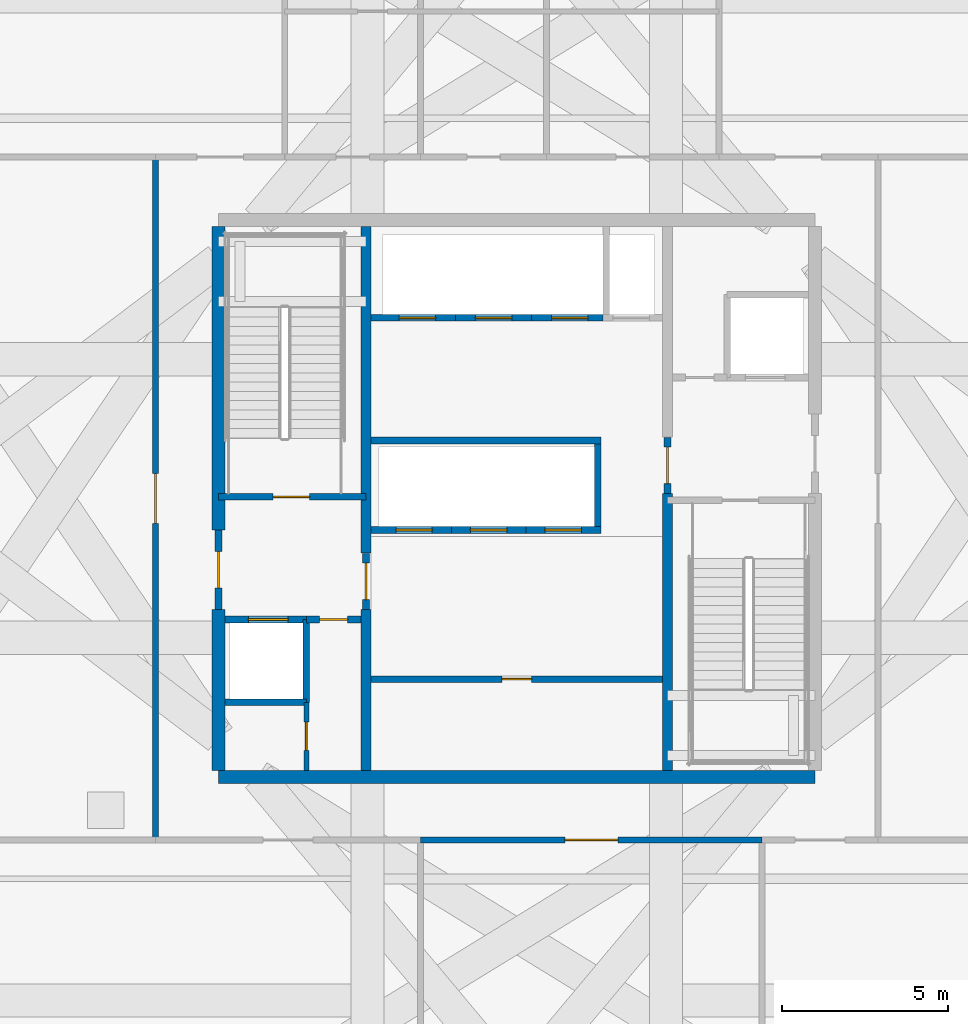
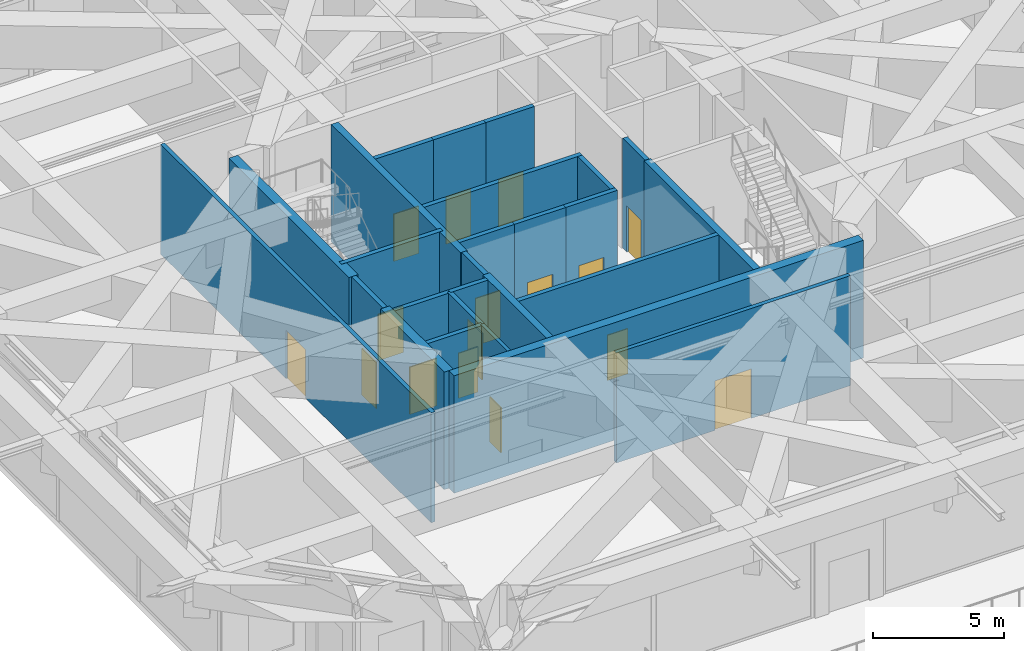
# One storey, part 31 of 38: 26 walls, 16 doors, 16 openings.
"""IFC4 building model written with IfcOpenShell, lengths in metres."""

from ifc_helpers import new_model, si_unit, direction, frame, frame_2d, origin, place, context, subcontext, project, spatial, rectangle, extrude, source, transform, mapped, material, layer, layer_set, type_object, element, fill, save


model = new_model("IFC4")

# Units and contexts
model_context = context("Model", 3, precision=1e-05, world=origin(), true_north=direction((0.0, 1.0)))
body_context = subcontext(model_context, "Body", "Model", "MODEL_VIEW")
ifc_project = project(units=[si_unit("LENGTHUNIT", "METRE"), si_unit("AREAUNIT", "SQUARE_METRE"), si_unit("VOLUMEUNIT", "CUBIC_METRE"), si_unit("PLANEANGLEUNIT", "RADIAN"), si_unit("MASSUNIT", "GRAM", prefix="KILO")], contexts=[model_context])

# Site, building, storey
site_placement = place(None, origin())
site = spatial("IfcSite", under=ifc_project, at=site_placement, CompositionType="ELEMENT")
building_placement = place(site_placement, origin())
building = spatial("IfcBuilding", under=site, at=building_placement, Name="Serunith Strait Residences", CompositionType="ELEMENT")
storey_placement = place(building_placement, frame((0.0, 0.0, 204.89990234375)))
storey = spatial("IfcBuildingStorey", under=building, at=storey_placement, Name="L51", CompositionType="ELEMENT", Elevation=204.89990234375)

# Wall, opening, door
ifc_material_1 = material(Name="Fire-rated masonry service closet wall", Category="masonry")
ifc_layer_1 = layer(ifc_material_1, 0.14990234375, Name="Fire-rated masonry service closet wall")
ifc_layer_set_1 = layer_set([ifc_layer_1], Name="Fire-rated masonry service closet wall")
wall_type_1 = type_object("IfcWallType", Name="IW-BOH-150", PredefinedType="PARTITIONING", material=ifc_layer_set_1)
wall_1_placement = place(storey_placement, frame((26.050048828125, 17.0, 0.0), z_axis=(0.0, 0.0, 1.0), x_axis=(0.0, 1.0, 0.0)))
wall_1 = element("IfcWall", 1, at=wall_1_placement, inside=storey, type_object=wall_type_1, Name="L51 Partition Wall 012", PredefinedType="PARTITIONING", context=body_context, shape_type="SweptSolid", body=[
    extrude(rectangle(XDim=2.048095703125, YDim=0.14990234375, at=frame_2d((1.02392578125, 0.0))), origin(), (0.0, 0.0, 1.0), 5.110107421875),
])
opening_1_placement = place(wall_1_placement, frame((0.59912109375, 0.0, 0.0)))
opening_1 = element("IfcOpeningElement", 2, at=opening_1_placement, cuts=wall_1, Name="Opening FD-850", PredefinedType="OPENING", context=body_context, shape_type="SweptSolid", body=[
    extrude(rectangle(XDim=0.85009765625, YDim=2.10009765625, at=frame_2d((0.425048828125, 1.050048828125))), frame((0.0, 0.0849609375, 0.0), z_axis=(0.0, -1.0, 0.0), x_axis=(1.0, 0.0, 0.0)), (0.0, 0.0, 1.0), 0.169921875),
])
ifc_material_2 = material(Name="Powder-coated steel service closet door", Category="steel")
door_type_1 = type_object("IfcDoorType", Name="FD-BOH-850", OperationType="NOTDEFINED", PredefinedType="DOOR", material=ifc_material_2)
shared_shape_1 = source(origin(), body_context, "Body", "SweptSolid", [
    extrude(rectangle(XDim=0.85009765625, YDim=2.10009765625, at=frame_2d((0.425048828125, 1.050048828125))), frame((0.0, 0.02490234375, 0.0), z_axis=(0.0, -1.0, 0.0), x_axis=(1.0, 0.0, 0.0)), (0.0, 0.0, 1.0), 0.050048828125),
])
door_1_placement = place(opening_1_placement, origin())
door_1 = element("IfcDoor", 3, at=door_1_placement, inside=storey, type_object=door_type_1, Name="L51 Cleaner Store Door", OperationType="SINGLE_SWING_LEFT", OverallHeight=2.10009765625, OverallWidth=0.85009765625, PredefinedType="DOOR", context=body_context, shape_type="MappedRepresentation", body=[
    mapped(shared_shape_1, transform((0.0, 0.0, 0.0), scale=1.0)),
])
fill(opening_1, door_1)

ifc_material_3 = material(Name="Fire-rated acoustic gypsum partition")
ifc_layer_2 = layer(ifc_material_3, 0.179931640625, Name="Fire-rated acoustic gypsum partition")
ifc_layer_set_2 = layer_set([ifc_layer_2], Name="Fire-rated acoustic gypsum partition")
wall_type_2 = type_object("IfcWallType", Name="IW-CORR-180", PredefinedType="PARTITIONING", material=ifc_layer_set_2)
wall_2_placement = place(storey_placement, frame((21.5, 14.89990234375, 0.0), z_axis=(0.0, 0.0, 1.0), x_axis=(0.0, 1.0, 0.0)))
wall_2 = element("IfcWall", 4, at=wall_2_placement, inside=storey, type_object=wall_type_2, Name="L51 Partition Wall 018", PredefinedType="PARTITIONING", context=body_context, shape_type="SweptSolid", body=[
    extrude(rectangle(XDim=20.60009765625, YDim=0.179931640625, at=frame_2d((10.300048828125, 0.0))), origin(), (0.0, 0.0, 1.0), 5.110107421875),
])
opening_2_placement = place(wall_2_placement, frame((9.550048828125, 0.0, 0.0)))
opening_2 = element("IfcOpeningElement", 5, at=opening_2_placement, cuts=wall_2, Name="Opening D-POD1500", PredefinedType="OPENING", context=body_context, shape_type="SweptSolid", body=[
    extrude(rectangle(XDim=1.5, YDim=2.25, at=frame_2d((0.75, 1.125))), frame((0.0, 0.10009765625, 0.0), z_axis=(0.0, -1.0, 0.0), x_axis=(1.0, 0.0, 0.0)), (0.0, 0.0, 1.0), 0.199951171875),
])
ifc_material_4 = material(Name="Pale-champagne aluminium glazed double door", Category="aluminium")
door_type_2 = type_object("IfcDoorType", Name="ID-POD-1500", OperationType="DOUBLE_DOOR_SINGLE_SWING", PredefinedType="DOOR", material=ifc_material_4)
shared_shape_2 = source(origin(), body_context, "Body", "SweptSolid", [
    extrude(rectangle(XDim=1.5, YDim=2.25, at=frame_2d((0.75, 1.125))), frame((0.0, 0.02490234375, 0.0), z_axis=(0.0, -1.0, 0.0), x_axis=(1.0, 0.0, 0.0)), (0.0, 0.0, 1.0), 0.050048828125),
])
door_2_placement = place(opening_2_placement, origin())
door_2 = element("IfcDoor", 6, at=door_2_placement, inside=storey, type_object=door_type_2, Name="L51 West Wing Suite Door", OperationType="DOUBLE_DOOR_SINGLE_SWING", OverallHeight=2.25, OverallWidth=1.5, PredefinedType="DOOR", context=body_context, shape_type="MappedRepresentation", body=[
    mapped(shared_shape_2, transform((0.0, 0.0, 0.0), scale=1.0)),
])
fill(opening_2, door_2)

wall_3_placement = place(storey_placement, frame((29.501953125, 14.89990234375, 0.0), z_axis=(0.0, 0.0, 1.0), x_axis=(1.0, 0.0, 0.0)))
wall_3 = element("IfcWall", 7, at=wall_3_placement, inside=storey, type_object=wall_type_2, Name="L51 Partition Wall 027", PredefinedType="PARTITIONING", context=body_context, shape_type="SweptSolid", body=[
    extrude(rectangle(XDim=10.298095703125, YDim=0.179931640625, at=frame_2d((5.14892578125, 0.0))), origin(), (0.0, 0.0, 1.0), 5.110107421875),
])
opening_3_placement = place(wall_3_placement, frame((4.34912109375, 0.0, 0.0)))
opening_3 = element("IfcOpeningElement", 8, at=opening_3_placement, cuts=wall_3, Name="Opening D-POD1600", PredefinedType="OPENING", context=body_context, shape_type="SweptSolid", body=[
    extrude(rectangle(XDim=1.60009765625, YDim=2.300048828125, at=frame_2d((0.800048828125, 1.14990234375))), frame((0.0, 0.10009765625, 0.0), z_axis=(0.0, -1.0, 0.0), x_axis=(1.0, 0.0, 0.0)), (0.0, 0.0, 1.0), 0.199951171875),
])
ifc_material_5 = material(Name="Pale-champagne aluminium glazed concourse door", Category="aluminium")
door_type_3 = type_object("IfcDoorType", Name="ID-POD-1600", OperationType="DOUBLE_DOOR_SINGLE_SWING", PredefinedType="DOOR", material=ifc_material_5)
shared_shape_3 = source(origin(), body_context, "Body", "SweptSolid", [
    extrude(rectangle(XDim=1.60009765625, YDim=2.300048828125, at=frame_2d((0.800048828125, 1.14990234375))), frame((0.0, 0.02490234375, 0.0), z_axis=(0.0, -1.0, 0.0), x_axis=(1.0, 0.0, 0.0)), (0.0, 0.0, 1.0), 0.050048828125),
])
door_3_placement = place(opening_3_placement, origin())
door_3 = element("IfcDoor", 9, at=door_3_placement, inside=storey, type_object=door_type_3, Name="L51 South Central Lounge Door", OperationType="DOUBLE_DOOR_SINGLE_SWING", OverallHeight=2.300048828125, OverallWidth=1.60009765625, PredefinedType="DOOR", context=body_context, shape_type="MappedRepresentation", body=[
    mapped(shared_shape_3, transform((0.0, 0.0, 0.0), scale=1.0)),
])
fill(opening_3, door_3)

ifc_material_6 = material(Name="Autoclaved aerated concrete blockwork", Category="masonry")
ifc_layer_3 = layer(ifc_material_6, 0.199951171875, Name="Autoclaved aerated concrete blockwork")
ifc_layer_set_3 = layer_set([ifc_layer_3], Name="Autoclaved aerated concrete blockwork")
wall_type_3 = type_object("IfcWallType", Name="IW-SHAFT-200", PredefinedType="STANDARD", material=ifc_layer_set_3)
wall_4_placement = place(storey_placement, frame((23.39990234375, 25.25, 0.0), z_axis=(0.0, 0.0, 1.0), x_axis=(1.0, 0.0, 0.0)))
wall_4 = element("IfcWall", 10, at=wall_4_placement, inside=storey, type_object=wall_type_3, Name="L51 ST-1 South Shaft Wall", PredefinedType="STANDARD", context=body_context, shape_type="SweptSolid", body=[
    extrude(rectangle(XDim=4.4501953125, YDim=0.199951171875, at=frame_2d((2.22509765625, 0.0))), origin(), (0.0, 0.0, 1.0), 5.110107421875),
])
opening_4_placement = place(wall_4_placement, frame((1.64990234375, 0.0, 0.0)))
opening_4 = element("IfcOpeningElement", 11, at=opening_4_placement, cuts=wall_4, Name="Opening FD-1100", PredefinedType="OPENING", context=body_context, shape_type="SweptSolid", body=[
    extrude(rectangle(XDim=1.10009765625, YDim=2.14990234375, at=frame_2d((0.550048828125, 1.074951171875))), frame((0.0, 0.10986328125, 0.0), z_axis=(0.0, -1.0, 0.0), x_axis=(1.0, 0.0, 0.0)), (0.0, 0.0, 1.0), 0.219970703125),
])
ifc_material_7 = material(Name="Galvanised steel fire door leaf", Category="steel")
door_type_4 = type_object("IfcDoorType", Name="FD-STAIR-1100", OperationType="NOTDEFINED", PredefinedType="DOOR", material=ifc_material_7)
shared_shape_4 = source(origin(), body_context, "Body", "SweptSolid", [
    extrude(rectangle(XDim=1.10009765625, YDim=2.14990234375, at=frame_2d((0.550048828125, 1.074951171875))), frame((0.0, 0.02490234375, 0.0), z_axis=(0.0, -1.0, 0.0), x_axis=(1.0, 0.0, 0.0)), (0.0, 0.0, 1.0), 0.050048828125),
])
door_4_placement = place(opening_4_placement, origin())
door_4 = element("IfcDoor", 12, at=door_4_placement, inside=storey, type_object=door_type_4, Name="L51 ST-1 Escape Stair Door", OperationType="SINGLE_SWING_LEFT", OverallHeight=2.14990234375, OverallWidth=1.10009765625, PredefinedType="DOOR", context=body_context, shape_type="MappedRepresentation", body=[
    mapped(shared_shape_4, transform((0.0, 0.0, 0.0), scale=1.0)),
])
fill(opening_4, door_4)

wall_5_placement = place(storey_placement, frame((23.60009765625, 21.550048828125, 0.0), z_axis=(0.0, 0.0, 1.0), x_axis=(1.0, 0.0, 0.0)))
wall_5 = element("IfcWall", 13, at=wall_5_placement, inside=storey, type_object=wall_type_3, Name="L51 FL-1 North Shaft Wall", PredefinedType="STANDARD", context=body_context, shape_type="SweptSolid", body=[
    extrude(rectangle(XDim=2.449951171875, YDim=0.199951171875, at=frame_2d((1.22509765625, 0.0))), origin(), (0.0, 0.0, 1.0), 5.110107421875),
])
opening_5_placement = place(wall_5_placement, frame((0.699951171875, 0.0, 0.0)))
opening_5 = element("IfcOpeningElement", 14, at=opening_5_placement, cuts=wall_5, Name="Opening LD-FF1200", PredefinedType="OPENING", context=body_context, shape_type="SweptSolid", body=[
    extrude(rectangle(XDim=1.199951171875, YDim=2.199951171875, at=frame_2d((0.60009765625, 1.10009765625))), frame((0.0, 0.10986328125, 0.0), z_axis=(0.0, -1.0, 0.0), x_axis=(1.0, 0.0, 0.0)), (0.0, 0.0, 1.0), 0.219970703125),
])
ifc_material_8 = material(Name="Brushed stainless steel landing door", Category="steel")
door_type_5 = type_object("IfcDoorType", Name="LD-FF-1200", OperationType="DOUBLE_DOOR_SLIDING", PredefinedType="DOOR", material=ifc_material_8)
shared_shape_5 = source(origin(), body_context, "Body", "SweptSolid", [
    extrude(rectangle(XDim=1.199951171875, YDim=2.199951171875, at=frame_2d((0.60009765625, 1.10009765625))), frame((0.0, 0.02490234375, 0.0), z_axis=(0.0, -1.0, 0.0), x_axis=(1.0, 0.0, 0.0)), (0.0, 0.0, 1.0), 0.050048828125),
])
door_5_placement = place(opening_5_placement, origin())
door_5 = element("IfcDoor", 15, at=door_5_placement, inside=storey, type_object=door_type_5, Name="L51 FL-1 Landing Door", OperationType="DOUBLE_DOOR_SLIDING", OverallHeight=2.199951171875, OverallWidth=1.199951171875, PredefinedType="DOOR", context=body_context, shape_type="MappedRepresentation", body=[
    mapped(shared_shape_5, transform((0.0, 0.0, 0.0), scale=1.0)),
])
fill(opening_5, door_5)

wall_6_placement = place(storey_placement, frame((28.0, 24.25, 0.0), z_axis=(0.0, 0.0, 1.0), x_axis=(1.0, 0.0, 0.0)))
wall_6 = element("IfcWall", 16, at=wall_6_placement, inside=storey, type_object=wall_type_3, Name="L51 PL-4 South Shaft Wall", PredefinedType="STANDARD", context=body_context, shape_type="SweptSolid", body=[
    extrude(rectangle(XDim=2.425048828125, YDim=0.199951171875, at=frame_2d((1.21240234375, 0.0))), origin(), (0.0, 0.0, 1.0), 5.110107421875),
])
opening_6_placement = place(wall_6_placement, frame((0.75, 0.0, 0.0)))
opening_6 = element("IfcOpeningElement", 17, at=opening_6_placement, cuts=wall_6, Name="Opening LD-1100", PredefinedType="OPENING", context=body_context, shape_type="SweptSolid", body=[
    extrude(rectangle(XDim=1.10009765625, YDim=2.199951171875, at=frame_2d((0.550048828125, 1.10009765625))), frame((0.0, 0.10986328125, 0.0), z_axis=(0.0, -1.0, 0.0), x_axis=(1.0, 0.0, 0.0)), (0.0, 0.0, 1.0), 0.219970703125),
])
ifc_material_9 = material(Name="Pale-champagne stainless landing door")
door_type_6 = type_object("IfcDoorType", Name="LD-LIFT-1100", OperationType="DOUBLE_DOOR_SLIDING", PredefinedType="DOOR", material=ifc_material_9)
shared_shape_6 = source(origin(), body_context, "Body", "SweptSolid", [
    extrude(rectangle(XDim=1.10009765625, YDim=2.199951171875, at=frame_2d((0.550048828125, 1.10009765625))), frame((0.0, 0.02490234375, 0.0), z_axis=(0.0, -1.0, 0.0), x_axis=(1.0, 0.0, 0.0)), (0.0, 0.0, 1.0), 0.050048828125),
])
door_6_placement = place(opening_6_placement, origin())
door_6 = element("IfcDoor", 18, at=door_6_placement, inside=storey, type_object=door_type_6, Name="L51 PL-4 Landing Door", OperationType="DOUBLE_DOOR_SLIDING", OverallHeight=2.199951171875, OverallWidth=1.10009765625, PredefinedType="DOOR", context=body_context, shape_type="MappedRepresentation", body=[
    mapped(shared_shape_6, transform((0.0, 0.0, 0.0), scale=1.0)),
])
fill(opening_6, door_6)

wall_7_placement = place(storey_placement, frame((30.425048828125, 24.25, 0.0), z_axis=(0.0, 0.0, 1.0), x_axis=(1.0, 0.0, 0.0)))
wall_7 = element("IfcWall", 19, at=wall_7_placement, inside=storey, type_object=wall_type_3, Name="L51 PL-5 South Shaft Wall", PredefinedType="STANDARD", context=body_context, shape_type="SweptSolid", body=[
    extrude(rectangle(XDim=2.25, YDim=0.199951171875, at=frame_2d((1.125, 0.0))), origin(), (0.0, 0.0, 1.0), 5.110107421875),
])
opening_7_placement = place(wall_7_placement, frame((0.574951171875, 0.0, 0.0)))
opening_7 = element("IfcOpeningElement", 20, at=opening_7_placement, cuts=wall_7, Name="Opening LD-1100", PredefinedType="OPENING", context=body_context, shape_type="SweptSolid", body=[
    extrude(rectangle(XDim=1.10009765625, YDim=2.199951171875, at=frame_2d((0.550048828125, 1.10009765625))), frame((0.0, 0.10986328125, 0.0), z_axis=(0.0, -1.0, 0.0), x_axis=(1.0, 0.0, 0.0)), (0.0, 0.0, 1.0), 0.219970703125),
])
door_7_placement = place(opening_7_placement, origin())
door_7 = element("IfcDoor", 21, at=door_7_placement, inside=storey, type_object=door_type_6, Name="L51 PL-5 Landing Door", OperationType="DOUBLE_DOOR_SLIDING", OverallHeight=2.199951171875, OverallWidth=1.10009765625, PredefinedType="DOOR", context=body_context, shape_type="MappedRepresentation", body=[
    mapped(shared_shape_6, transform((0.0, 0.0, 0.0), scale=1.0)),
])
fill(opening_7, door_7)

wall_8_placement = place(storey_placement, frame((32.675048828125, 24.25, 0.0), z_axis=(0.0, 0.0, 1.0), x_axis=(1.0, 0.0, 0.0)))
wall_8 = element("IfcWall", 22, at=wall_8_placement, inside=storey, type_object=wall_type_3, Name="L51 PL-6 South Shaft Wall", PredefinedType="STANDARD", context=body_context, shape_type="SweptSolid", body=[
    extrude(rectangle(XDim=2.27490234375, YDim=0.199951171875, at=frame_2d((1.137451171875, 0.0))), origin(), (0.0, 0.0, 1.0), 5.110107421875),
])
opening_8_placement = place(wall_8_placement, frame((0.574951171875, 0.0, 0.0)))
opening_8 = element("IfcOpeningElement", 23, at=opening_8_placement, cuts=wall_8, Name="Opening LD-1100", PredefinedType="OPENING", context=body_context, shape_type="SweptSolid", body=[
    extrude(rectangle(XDim=1.10009765625, YDim=2.199951171875, at=frame_2d((0.550048828125, 1.10009765625))), frame((0.0, 0.10986328125, 0.0), z_axis=(0.0, -1.0, 0.0), x_axis=(1.0, 0.0, 0.0)), (0.0, 0.0, 1.0), 0.219970703125),
])
door_8_placement = place(opening_8_placement, origin())
door_8 = element("IfcDoor", 24, at=door_8_placement, inside=storey, type_object=door_type_6, Name="L51 PL-6 Landing Door", OperationType="DOUBLE_DOOR_SLIDING", OverallHeight=2.199951171875, OverallWidth=1.10009765625, PredefinedType="DOOR", context=body_context, shape_type="MappedRepresentation", body=[
    mapped(shared_shape_6, transform((0.0, 0.0, 0.0), scale=1.0)),
])
fill(opening_8, door_8)

# Wall
wall_9_placement = place(storey_placement, frame((34.85009765625, 24.35009765625, 0.0), z_axis=(0.0, 0.0, 1.0), x_axis=(0.0, 1.0, 0.0)))
element("IfcWall", 25, at=wall_9_placement, inside=storey, type_object=wall_type_3, Name="L51 PL-6 East Shaft Wall", PredefinedType="STANDARD", context=body_context, shape_type="SweptSolid", body=[
    extrude(rectangle(XDim=2.5, YDim=0.199951171875, at=frame_2d((1.25, 0.0))), origin(), (0.0, 0.0, 1.0), 5.110107421875),
])

# Wall, opening, door
wall_10_placement = place(storey_placement, frame((28.0, 30.64990234375, 0.0), z_axis=(0.0, 0.0, 1.0), x_axis=(1.0, 0.0, 0.0)))
wall_10 = element("IfcWall", 26, at=wall_10_placement, inside=storey, type_object=wall_type_3, Name="L51 PL-7 South Shaft Wall", PredefinedType="STANDARD", context=body_context, shape_type="SweptSolid", body=[
    extrude(rectangle(XDim=2.550048828125, YDim=0.199951171875, at=frame_2d((1.27490234375, 0.0))), origin(), (0.0, 0.0, 1.0), 5.110107421875),
])
opening_9_placement = place(wall_10_placement, frame((0.85009765625, 0.0, 0.0)))
opening_9 = element("IfcOpeningElement", 27, at=opening_9_placement, cuts=wall_10, Name="Opening LD-1100", PredefinedType="OPENING", context=body_context, shape_type="SweptSolid", body=[
    extrude(rectangle(XDim=1.10009765625, YDim=2.199951171875, at=frame_2d((0.550048828125, 1.10009765625))), frame((0.0, 0.10986328125, 0.0), z_axis=(0.0, -1.0, 0.0), x_axis=(1.0, 0.0, 0.0)), (0.0, 0.0, 1.0), 0.219970703125),
])
door_9_placement = place(opening_9_placement, origin())
door_9 = element("IfcDoor", 28, at=door_9_placement, inside=storey, type_object=door_type_6, Name="L51 PL-7 Landing Door", OperationType="DOUBLE_DOOR_SLIDING", OverallHeight=2.199951171875, OverallWidth=1.10009765625, PredefinedType="DOOR", context=body_context, shape_type="MappedRepresentation", body=[
    mapped(shared_shape_6, transform((0.0, 0.0, 0.0), scale=1.0)),
])
fill(opening_9, door_9)

wall_11_placement = place(storey_placement, frame((30.550048828125, 30.64990234375, 0.0), z_axis=(0.0, 0.0, 1.0), x_axis=(1.0, 0.0, 0.0)))
wall_11 = element("IfcWall", 29, at=wall_11_placement, inside=storey, type_object=wall_type_3, Name="L51 PL-8 South Shaft Wall", PredefinedType="STANDARD", context=body_context, shape_type="SweptSolid", body=[
    extrude(rectangle(XDim=2.300048828125, YDim=0.199951171875, at=frame_2d((1.14990234375, 0.0))), origin(), (0.0, 0.0, 1.0), 5.110107421875),
])
opening_10_placement = place(wall_11_placement, frame((0.60009765625, 0.0, 0.0)))
opening_10 = element("IfcOpeningElement", 30, at=opening_10_placement, cuts=wall_11, Name="Opening LD-1100", PredefinedType="OPENING", context=body_context, shape_type="SweptSolid", body=[
    extrude(rectangle(XDim=1.10009765625, YDim=2.199951171875, at=frame_2d((0.550048828125, 1.10009765625))), frame((0.0, 0.10986328125, 0.0), z_axis=(0.0, -1.0, 0.0), x_axis=(1.0, 0.0, 0.0)), (0.0, 0.0, 1.0), 0.219970703125),
])
door_10_placement = place(opening_10_placement, origin())
door_10 = element("IfcDoor", 31, at=door_10_placement, inside=storey, type_object=door_type_6, Name="L51 PL-8 Landing Door", OperationType="DOUBLE_DOOR_SLIDING", OverallHeight=2.199951171875, OverallWidth=1.10009765625, PredefinedType="DOOR", context=body_context, shape_type="MappedRepresentation", body=[
    mapped(shared_shape_6, transform((0.0, 0.0, 0.0), scale=1.0)),
])
fill(opening_10, door_10)

wall_12_placement = place(storey_placement, frame((32.85009765625, 30.64990234375, 0.0), z_axis=(0.0, 0.0, 1.0), x_axis=(1.0, 0.0, 0.0)))
wall_12 = element("IfcWall", 32, at=wall_12_placement, inside=storey, type_object=wall_type_3, Name="L51 PL-9 South Shaft Wall", PredefinedType="STANDARD", context=body_context, shape_type="SweptSolid", body=[
    extrude(rectangle(XDim=2.14990234375, YDim=0.199951171875, at=frame_2d((1.074951171875, 0.0))), origin(), (0.0, 0.0, 1.0), 5.110107421875),
])
opening_11_placement = place(wall_12_placement, frame((0.60009765625, 0.0, 0.0)))
opening_11 = element("IfcOpeningElement", 33, at=opening_11_placement, cuts=wall_12, Name="Opening LD-1100", PredefinedType="OPENING", context=body_context, shape_type="SweptSolid", body=[
    extrude(rectangle(XDim=1.10009765625, YDim=2.199951171875, at=frame_2d((0.550048828125, 1.10009765625))), frame((0.0, 0.10986328125, 0.0), z_axis=(0.0, -1.0, 0.0), x_axis=(1.0, 0.0, 0.0)), (0.0, 0.0, 1.0), 0.219970703125),
])
door_11_placement = place(opening_11_placement, origin())
door_11 = element("IfcDoor", 34, at=door_11_placement, inside=storey, type_object=door_type_6, Name="L51 PL-9 Landing Door", OperationType="DOUBLE_DOOR_SLIDING", OverallHeight=2.199951171875, OverallWidth=1.10009765625, PredefinedType="DOOR", context=body_context, shape_type="MappedRepresentation", body=[
    mapped(shared_shape_6, transform((0.0, 0.0, 0.0), scale=1.0)),
])
fill(opening_11, door_11)

# Walls
wall_13_placement = place(storey_placement, frame((26.050048828125, 19.050048828125, 0.0), z_axis=(0.0, 0.0, 1.0), x_axis=(0.0, 1.0, 0.0)))
element("IfcWall", 35, at=wall_13_placement, inside=storey, type_object=wall_type_3, Name="L51 Partition Wall 001", PredefinedType="STANDARD", context=body_context, shape_type="SweptSolid", body=[
    extrude(rectangle(XDim=2.5, YDim=0.199951171875, at=frame_2d((1.25, 0.0))), origin(), (0.0, 0.0, 1.0), 5.110107421875),
])
wall_14_placement = place(storey_placement, frame((23.60009765625, 19.050048828125, 0.0), z_axis=(0.0, 0.0, 1.0), x_axis=(1.0, 0.0, 0.0)))
element("IfcWall", 36, at=wall_14_placement, inside=storey, type_object=wall_type_3, Name="L51 Partition Wall 002", PredefinedType="STANDARD", context=body_context, shape_type="SweptSolid", body=[
    extrude(rectangle(XDim=2.449951171875, YDim=0.199951171875, at=frame_2d((1.22509765625, 0.0))), origin(), (0.0, 0.0, 1.0), 5.110107421875),
])

# Wall, opening, door
wall_15_placement = place(storey_placement, frame((26.052001953125, 21.550048828125, 0.0), z_axis=(0.0, 0.0, 1.0), x_axis=(1.0, 0.0, 0.0)))
wall_15 = element("IfcWall", 37, at=wall_15_placement, inside=storey, type_object=wall_type_3, Name="L51 Partition Wall 003", PredefinedType="STANDARD", context=body_context, shape_type="SweptSolid", body=[
    extrude(rectangle(XDim=1.64794921875, YDim=0.199951171875, at=frame_2d((0.823974609375, 0.0))), origin(), (0.0, 0.0, 1.0), 5.110107421875),
])
opening_12_placement = place(wall_15_placement, frame((0.39892578125, 0.0, 0.0)))
opening_12 = element("IfcOpeningElement", 38, at=opening_12_placement, cuts=wall_15, Name="Opening FD-850", PredefinedType="OPENING", context=body_context, shape_type="SweptSolid", body=[
    extrude(rectangle(XDim=0.85009765625, YDim=2.10009765625, at=frame_2d((0.425048828125, 1.050048828125))), frame((0.0, 0.10986328125, 0.0), z_axis=(0.0, -1.0, 0.0), x_axis=(1.0, 0.0, 0.0)), (0.0, 0.0, 1.0), 0.219970703125),
])
door_12_placement = place(opening_12_placement, origin())
door_12 = element("IfcDoor", 39, at=door_12_placement, inside=storey, type_object=door_type_1, Name="L51 South-West Core Service Door", OperationType="SINGLE_SWING_LEFT", OverallHeight=2.10009765625, OverallWidth=0.85009765625, PredefinedType="DOOR", context=body_context, shape_type="MappedRepresentation", body=[
    mapped(shared_shape_1, transform((0.0, 0.0, 0.0), scale=1.0)),
])
fill(opening_12, door_12)

wall_16_placement = place(storey_placement, frame((23.39990234375, 21.85205078125, 0.0), z_axis=(0.0, 0.0, 1.0), x_axis=(0.0, 1.0, 0.0)))
wall_16 = element("IfcWall", 40, at=wall_16_placement, inside=storey, type_object=wall_type_3, Name="L51 Partition Wall 007", PredefinedType="STANDARD", context=body_context, shape_type="SweptSolid", body=[
    extrude(rectangle(XDim=2.39599609375, YDim=0.199951171875, at=frame_2d((1.197998046875, 0.0))), origin(), (0.0, 0.0, 1.0), 5.110107421875),
])
opening_13_placement = place(wall_16_placement, frame((0.64794921875, 0.0, 0.0)))
opening_13 = element("IfcOpeningElement", 41, at=opening_13_placement, cuts=wall_16, Name="Opening FD-FFL", PredefinedType="OPENING", context=body_context, shape_type="SweptSolid", body=[
    extrude(rectangle(XDim=1.10009765625, YDim=2.14990234375, at=frame_2d((0.550048828125, 1.074951171875))), frame((0.0, 0.10986328125, 0.0), z_axis=(0.0, -1.0, 0.0), x_axis=(1.0, 0.0, 0.0)), (0.0, 0.0, 1.0), 0.219970703125),
])
ifc_material_10 = material(Name="Glazed steel smoke-lobby fire door", Category="steel")
door_type_7 = type_object("IfcDoorType", Name="FD-FFL-1100", OperationType="NOTDEFINED", PredefinedType="DOOR", material=ifc_material_10)
door_13_placement = place(opening_13_placement, origin())
door_13 = element("IfcDoor", 42, at=door_13_placement, inside=storey, type_object=door_type_7, Name="L51 FFL-1 Corridor Fire Door", OperationType="SINGLE_SWING_LEFT", OverallHeight=2.14990234375, OverallWidth=1.10009765625, PredefinedType="DOOR", context=body_context, shape_type="MappedRepresentation", body=[
    mapped(shared_shape_4, transform((0.0, 0.0, 0.0), scale=1.0)),
])
fill(opening_13, door_13)

wall_17_placement = place(storey_placement, frame((27.85009765625, 21.85205078125, 0.0), z_axis=(0.0, 0.0, 1.0), x_axis=(0.0, 1.0, 0.0)))
wall_17 = element("IfcWall", 43, at=wall_17_placement, inside=storey, type_object=wall_type_3, Name="L51 Partition Wall 009", PredefinedType="STANDARD", context=body_context, shape_type="SweptSolid", body=[
    extrude(rectangle(XDim=1.696044921875, YDim=0.199951171875, at=frame_2d((0.84814453125, 0.0))), origin(), (0.0, 0.0, 1.0), 5.110107421875),
])
opening_14_placement = place(wall_17_placement, frame((0.298095703125, 0.0, 0.0)))
opening_14 = element("IfcOpeningElement", 44, at=opening_14_placement, cuts=wall_17, Name="Opening FD-FFL", PredefinedType="OPENING", context=body_context, shape_type="SweptSolid", body=[
    extrude(rectangle(XDim=1.10009765625, YDim=2.14990234375, at=frame_2d((0.550048828125, 1.074951171875))), frame((0.0, 0.10986328125, 0.0), z_axis=(0.0, -1.0, 0.0), x_axis=(1.0, 0.0, 0.0)), (0.0, 0.0, 1.0), 0.219970703125),
])
door_14_placement = place(opening_14_placement, origin())
door_14 = element("IfcDoor", 45, at=door_14_placement, inside=storey, type_object=door_type_7, Name="L51 FFL-1 Lift Lobby Door", OperationType="SINGLE_SWING_LEFT", OverallHeight=2.14990234375, OverallWidth=1.10009765625, PredefinedType="DOOR", context=body_context, shape_type="MappedRepresentation", body=[
    mapped(shared_shape_4, transform((0.0, 0.0, 0.0), scale=1.0)),
])
fill(opening_14, door_14)

wall_18_placement = place(storey_placement, frame((36.949951171875, 25.35205078125, 0.0), z_axis=(0.0, 0.0, 1.0), x_axis=(0.0, 1.0, 0.0)))
wall_18 = element("IfcWall", 46, at=wall_18_placement, inside=storey, type_object=wall_type_3, Name="L51 Partition Wall 010", PredefinedType="STANDARD", context=body_context, shape_type="SweptSolid", body=[
    extrude(rectangle(XDim=1.696044921875, YDim=0.199951171875, at=frame_2d((0.84814453125, 0.0))), origin(), (0.0, 0.0, 1.0), 5.110107421875),
])
opening_15_placement = place(wall_18_placement, frame((0.298095703125, 0.0, 0.0)))
opening_15 = element("IfcOpeningElement", 47, at=opening_15_placement, cuts=wall_18, Name="Opening FD-FFL", PredefinedType="OPENING", context=body_context, shape_type="SweptSolid", body=[
    extrude(rectangle(XDim=1.10009765625, YDim=2.14990234375, at=frame_2d((0.550048828125, 1.074951171875))), frame((0.0, 0.10986328125, 0.0), z_axis=(0.0, -1.0, 0.0), x_axis=(1.0, 0.0, 0.0)), (0.0, 0.0, 1.0), 0.219970703125),
])
door_15_placement = place(opening_15_placement, origin())
door_15 = element("IfcDoor", 48, at=door_15_placement, inside=storey, type_object=door_type_7, Name="L51 FFL-2 Lift Lobby Door", OperationType="SINGLE_SWING_RIGHT", OverallHeight=2.14990234375, OverallWidth=1.10009765625, PredefinedType="DOOR", context=body_context, shape_type="MappedRepresentation", body=[
    mapped(shared_shape_4, transform((0.0, 0.0, 0.0), scale=1.0)),
])
fill(opening_15, door_15)

# Wall
wall_19_placement = place(storey_placement, frame((28.0, 26.949951171875, 0.0), z_axis=(0.0, 0.0, 1.0), x_axis=(1.0, 0.0, 0.0)))
element("IfcWall", 49, at=wall_19_placement, inside=storey, type_object=wall_type_3, Name="L51 Partition Wall 011", PredefinedType="STANDARD", context=body_context, shape_type="SweptSolid", body=[
    extrude(rectangle(XDim=6.949951171875, YDim=0.199951171875, at=frame_2d((3.47509765625, 0.0))), origin(), (0.0, 0.0, 1.0), 5.110107421875),
])

# Wall, opening, door
wall_20_placement = place(storey_placement, frame((28.0, 19.75, 0.0), z_axis=(0.0, 0.0, 1.0), x_axis=(1.0, 0.0, 0.0)))
wall_20 = element("IfcWall", 50, at=wall_20_placement, inside=storey, type_object=wall_type_3, Name="L51 Partition Wall 013", PredefinedType="STANDARD", context=body_context, shape_type="SweptSolid", body=[
    extrude(rectangle(XDim=8.800048828125, YDim=0.199951171875, at=frame_2d((4.39990234375, 0.0))), origin(), (0.0, 0.0, 1.0), 5.110107421875),
])
opening_16_placement = place(wall_20_placement, frame((3.949951171875, 0.0, 0.0)))
opening_16 = element("IfcOpeningElement", 51, at=opening_16_placement, cuts=wall_20, Name="Opening FD-900", PredefinedType="OPENING", context=body_context, shape_type="SweptSolid", body=[
    extrude(rectangle(XDim=0.89990234375, YDim=2.10009765625, at=frame_2d((0.449951171875, 1.050048828125))), frame((0.0, 0.10986328125, 0.0), z_axis=(0.0, -1.0, 0.0), x_axis=(1.0, 0.0, 0.0)), (0.0, 0.0, 1.0), 0.219970703125),
])
ifc_material_11 = material(Name="Powder-coated steel riser door", Category="steel")
door_type_8 = type_object("IfcDoorType", Name="FD-BOH-900", OperationType="NOTDEFINED", PredefinedType="DOOR", material=ifc_material_11)
shared_shape_7 = source(origin(), body_context, "Body", "SweptSolid", [
    extrude(rectangle(XDim=0.89990234375, YDim=2.10009765625, at=frame_2d((0.449951171875, 1.050048828125))), frame((0.0, 0.02490234375, 0.0), z_axis=(0.0, -1.0, 0.0), x_axis=(1.0, 0.0, 0.0)), (0.0, 0.0, 1.0), 0.050048828125),
])
door_16_placement = place(opening_16_placement, origin())
door_16 = element("IfcDoor", 52, at=door_16_placement, inside=storey, type_object=door_type_8, Name="L51 Reclaimed BMS Plant Door", OperationType="SINGLE_SWING_RIGHT", OverallHeight=2.10009765625, OverallWidth=0.89990234375, PredefinedType="DOOR", context=body_context, shape_type="MappedRepresentation", body=[
    mapped(shared_shape_7, transform((0.0, 0.0, 0.0), scale=1.0)),
])
fill(opening_16, door_16)

# Walls
ifc_material_12 = material(Name="Concrete C70/85", Category="concrete")
ifc_layer_4 = layer(ifc_material_12, 0.300048828125, Name="Concrete C70/85")
ifc_layer_set_4 = layer_set([ifc_layer_4], Name="Concrete C70/85")
wall_type_4 = type_object("IfcWallType", Name="SW-300-C70", PredefinedType="SHEAR", material=ifc_layer_set_4)
wall_21_placement = place(storey_placement, frame((27.85009765625, 17.0, -0.35986328125), z_axis=(0.0, 0.0, 1.0), x_axis=(0.0, 1.0, 0.0)))
element("IfcWall", 53, at=wall_21_placement, inside=storey, type_object=wall_type_4, Name="L51 Core Internal West Web South Pier", PredefinedType="SHEAR", context=body_context, shape_type="SweptSolid", body=[
    extrude(rectangle(XDim=4.85009765625, YDim=0.300048828125, at=frame_2d((2.425048828125, 0.0))), origin(), (0.0, 0.0, 1.0), 5.468017578125),
])
wall_22_placement = place(storey_placement, frame((27.85009765625, 23.550048828125, -0.35986328125), z_axis=(0.0, 0.0, 1.0), x_axis=(0.0, 1.0, 0.0)))
element("IfcWall", 54, at=wall_22_placement, inside=storey, type_object=wall_type_4, Name="L51 Core Internal West Web North Pier", PredefinedType="SHEAR", context=body_context, shape_type="SweptSolid", body=[
    extrude(rectangle(XDim=9.849853515625, YDim=0.300048828125, at=frame_2d((4.9248046875, 0.0))), origin(), (0.0, 0.0, 1.0), 5.468017578125),
])
wall_23_placement = place(storey_placement, frame((36.949951171875, 17.0, -0.35986328125), z_axis=(0.0, 0.0, 1.0), x_axis=(0.0, 1.0, 0.0)))
element("IfcWall", 55, at=wall_23_placement, inside=storey, type_object=wall_type_4, Name="L51 Core Internal East Web South Pier", PredefinedType="SHEAR", context=body_context, shape_type="SweptSolid", body=[
    extrude(rectangle(XDim=8.35009765625, YDim=0.300048828125, at=frame_2d((4.175048828125, 0.0))), origin(), (0.0, 0.0, 1.0), 5.468017578125),
])
ifc_layer_5 = layer(ifc_material_12, 0.39990234375, Name="Concrete C70/85")
ifc_layer_set_5 = layer_set([ifc_layer_5], Name="Concrete C70/85")
wall_type_5 = type_object("IfcWallType", Name="SW-400-C70", PredefinedType="SHEAR", material=ifc_layer_set_5)
wall_24_placement = place(storey_placement, frame((23.39990234375, 16.800048828125, -0.35986328125), z_axis=(0.0, 0.0, 1.0), x_axis=(1.0, 0.0, 0.0)))
element("IfcWall", 56, at=wall_24_placement, inside=storey, type_object=wall_type_5, Name="L51 Core South Shear Wall", PredefinedType="SHEAR", context=body_context, shape_type="SweptSolid", body=[
    extrude(rectangle(XDim=18.0, YDim=0.39990234375, at=frame_2d((9.0, 0.0))), origin(), (0.0, 0.0, 1.0), 5.468017578125),
])
wall_25_placement = place(storey_placement, frame((23.39990234375, 17.0, -0.35986328125), z_axis=(0.0, 0.0, 1.0), x_axis=(0.0, 1.0, 0.0)))
element("IfcWall", 57, at=wall_25_placement, inside=storey, type_object=wall_type_5, Name="L51 Core West Shear Wall South Pier", PredefinedType="SHEAR", context=body_context, shape_type="SweptSolid", body=[
    extrude(rectangle(XDim=4.85009765625, YDim=0.39990234375, at=frame_2d((2.425048828125, 0.0))), origin(), (0.0, 0.0, 1.0), 5.468017578125),
])
wall_26_placement = place(storey_placement, frame((23.39990234375, 24.25, -0.35986328125), z_axis=(0.0, 0.0, 1.0), x_axis=(0.0, 1.0, 0.0)))
element("IfcWall", 58, at=wall_26_placement, inside=storey, type_object=wall_type_5, Name="L51 Core West Shear Wall North Pier", PredefinedType="SHEAR", context=body_context, shape_type="SweptSolid", body=[
    extrude(rectangle(XDim=9.14990234375, YDim=0.39990234375, at=frame_2d((4.574951171875, 0.0))), origin(), (0.0, 0.0, 1.0), 5.468017578125),
])

save(model, "model.ifc")
